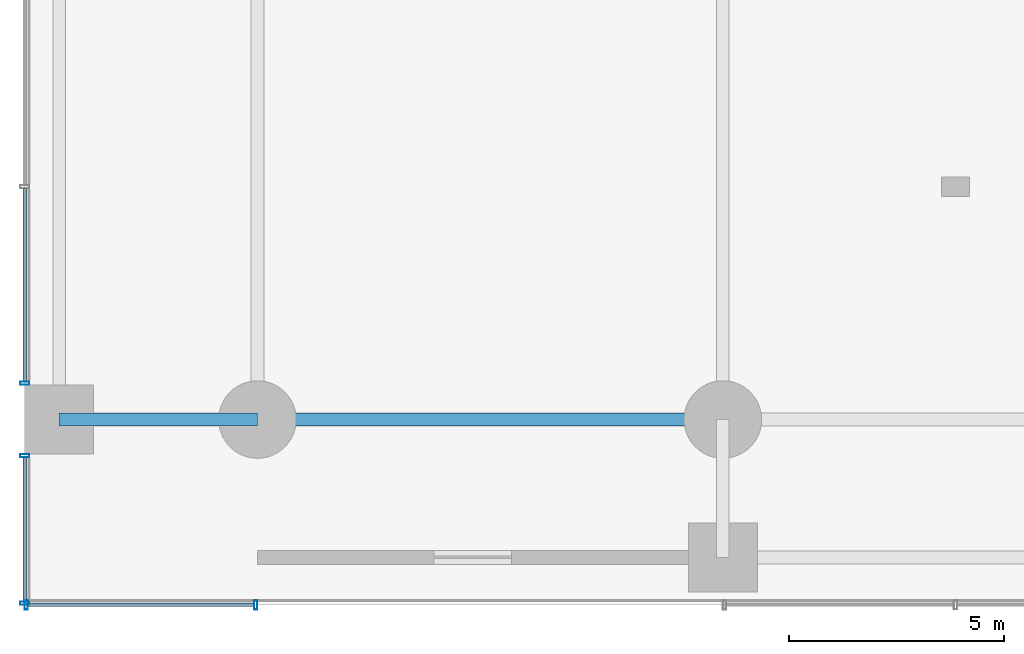
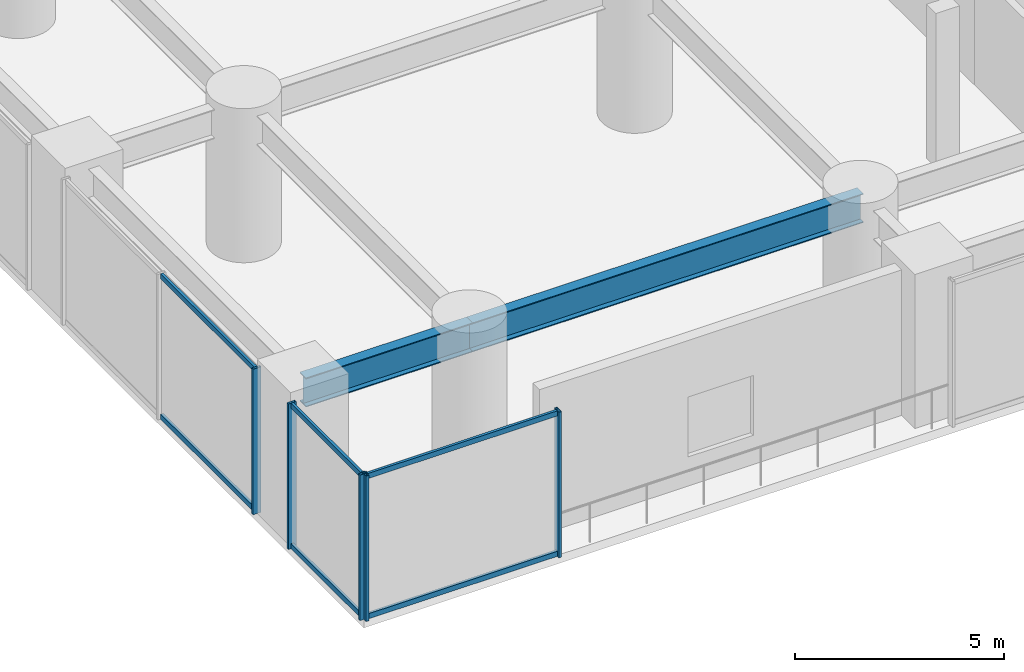
# One storey, part 2 of 36: 11 members, 2 beams, 3 elements without a shape of their own.
"""IFC4 building model written with IfcOpenShell, lengths in metres."""

from ifc_helpers import new_model, si_unit, direction, frame, origin, origin_2d, place, context, subcontext, project, spatial, hollow_rectangle, i_section, extrude, material, layer, layer_set, material_profile, profile_set, type_object, element, aggregate, save


model = new_model("IFC4")

# Units and contexts
model_context = context("Model", 3, precision=1e-05, world=origin(), true_north=direction((0.0, 1.0)))
body_context = subcontext(model_context, "Body", "Model", "MODEL_VIEW")
ifc_project = project(units=[si_unit("LENGTHUNIT", "METRE"), si_unit("AREAUNIT", "SQUARE_METRE"), si_unit("VOLUMEUNIT", "CUBIC_METRE"), si_unit("PLANEANGLEUNIT", "RADIAN"), si_unit("MASSUNIT", "GRAM", prefix="KILO")], contexts=[model_context])

# Site, building, storey
site_placement = place(None, origin())
site = spatial("IfcSite", under=ifc_project, at=site_placement, CompositionType="ELEMENT")
building_placement = place(site_placement, origin())
building = spatial("IfcBuilding", under=site, at=building_placement, Name="Surkhivell Harbour Commons", CompositionType="ELEMENT")
storey_placement = place(building_placement, frame((0.0, 0.0, 9.0)))
storey = spatial("IfcBuildingStorey", under=building, at=storey_placement, Name="L02", CompositionType="ELEMENT", Elevation=9.0)

# Beams
ifc_material_1 = material(Name="Steel S460", Category="steel")
ifc_material_profile_1 = material_profile(ifc_material_1, i_section(OverallWidth=0.2939453125, OverallDepth=0.85107421875, WebThickness=0.01611328125, FlangeThickness=0.02685546875, at=origin_2d()), Name="UB838x292x226")
ifc_profile_set_1 = profile_set([ifc_material_profile_1], Name="Steel S460")
beam_type = type_object("IfcBeamType", Name="BM-SPN-838", PredefinedType="SPANDREL", material=ifc_profile_set_1)
beam_1_placement = place(storey_placement, frame((-37.0, -21.60009765625, 3.824462890625), z_axis=(1.0, 0.0, 0.0), x_axis=(0.0, 1.0, 0.0)))
element("IfcBeam", 1, at=beam_1_placement, inside=storey, type_object=beam_type, Name="L02 Framing Beam (-37.0,-21.6)", PredefinedType="SPANDREL", context=body_context, shape_type="SweptSolid", body=[
    extrude(i_section(OverallWidth=0.2939453125, OverallDepth=0.85107421875, WebThickness=0.01611328125, FlangeThickness=0.02685546875, at=origin_2d()), origin(), (0.0, 0.0, 1.0), 4.60009765625),
])
beam_2_placement = place(storey_placement, frame((-32.39990234375, -21.60009765625, 3.824462890625), z_axis=(1.0, 0.0, 0.0), x_axis=(0.0, 1.0, 0.0)))
element("IfcBeam", 2, at=beam_2_placement, inside=storey, type_object=beam_type, Name="L02 Framing Beam (-32.4,-21.6)", PredefinedType="SPANDREL", context=body_context, shape_type="SweptSolid", body=[
    extrude(i_section(OverallWidth=0.2939453125, OverallDepth=0.85107421875, WebThickness=0.01611328125, FlangeThickness=0.02685546875, at=origin_2d()), origin(), (0.0, 0.0, 1.0), 10.7998046875),
])

# Curtain wall, members
ifc_material_2 = material(Name="Anodised pale-metal aluminium and insulated glazing", Category="aluminium")
ifc_layer = layer(ifc_material_2, 0.239990234375)
ifc_layer_set = layer_set([ifc_layer], Name="Anodised pale-metal aluminium and insulated glazing")
curtain_wall_type = type_object("IfcCurtainWallType", Name="CW-SYS-POD", PredefinedType="NOTDEFINED", material=ifc_layer_set)
curtain_wall_1_placement = place(storey_placement, origin())
curtain_wall_1 = element("IfcCurtainWall", 3, at=curtain_wall_1_placement, inside=storey, type_object=curtain_wall_type, Name="L02 Curtain Wall CW-L02-S1", PredefinedType="NOTDEFINED")
ifc_material_3 = material(Name="Anodised pale-metal aluminium alloy 6063-T6", Category="aluminium")
ifc_material_profile_2 = material_profile(ifc_material_3, hollow_rectangle(XDim=0.074951171875, YDim=0.219970703125, WallThickness=0.00390625, at=origin_2d()), Name="ALU-MULL-75x220")
ifc_profile_set_2 = profile_set([ifc_material_profile_2], Name="Anodised pale-metal aluminium alloy 6063-T6")
member_type_1 = type_object("IfcMemberType", Name="CWM-220", PredefinedType="MULLION", material=ifc_profile_set_2)
member_1_placement = place(storey_placement, frame((-32.4375, -25.89990234375, 0.0), z_axis=(0.0, 0.0, 1.0), x_axis=(-1.0, 0.0, 0.0)))
member_1 = element("IfcMember", 4, at=member_1_placement, type_object=member_type_1, Name="CW-POD mullion 1", PredefinedType="MULLION", context=body_context, shape_type="SweptSolid", body=[
    extrude(hollow_rectangle(XDim=0.074951171875, YDim=0.219970703125, WallThickness=0.00390625, at=origin_2d()), origin(), (0.0, 0.0, 1.0), 4.25),
])
member_2_placement = place(storey_placement, frame((-37.762451171875, -25.89990234375, 0.0), z_axis=(0.0, 0.0, 1.0), x_axis=(-1.0, 0.0, 0.0)))
member_2 = element("IfcMember", 5, at=member_2_placement, type_object=member_type_1, Name="CW-POD mullion 2", PredefinedType="MULLION", context=body_context, shape_type="SweptSolid", body=[
    extrude(hollow_rectangle(XDim=0.074951171875, YDim=0.219970703125, WallThickness=0.00390625, at=origin_2d()), origin(), (0.0, 0.0, 1.0), 4.25),
])

curtain_wall_2_placement = place(storey_placement, origin())
curtain_wall_2 = element("IfcCurtainWall", 6, at=curtain_wall_2_placement, inside=storey, type_object=curtain_wall_type, Name="L02 Curtain Wall CW-L02-W1", PredefinedType="NOTDEFINED")
member_3_placement = place(storey_placement, frame((-37.800048828125, -25.862548828125, 0.0), z_axis=(0.0, 0.0, 1.0), x_axis=(0.0, 1.0, 0.0)))
member_3 = element("IfcMember", 7, at=member_3_placement, type_object=member_type_1, Name="CW-POD mullion 1", PredefinedType="MULLION", context=body_context, shape_type="SweptSolid", body=[
    extrude(hollow_rectangle(XDim=0.074951171875, YDim=0.219970703125, WallThickness=0.00390625, at=origin_2d()), origin(), (0.0, 0.0, 1.0), 4.25),
])
member_4_placement = place(storey_placement, frame((-37.800048828125, -22.439453125, 0.0), z_axis=(0.0, 0.0, 1.0), x_axis=(0.0, 1.0, 0.0)))
member_4 = element("IfcMember", 8, at=member_4_placement, type_object=member_type_1, Name="CW-POD mullion 2", PredefinedType="MULLION", context=body_context, shape_type="SweptSolid", body=[
    extrude(hollow_rectangle(XDim=0.074951171875, YDim=0.219970703125, WallThickness=0.00390625, at=origin_2d()), origin(), (0.0, 0.0, 1.0), 4.25),
])

# Curtain wall, member
curtain_wall_3_placement = place(storey_placement, origin())
curtain_wall_3 = element("IfcCurtainWall", 9, at=curtain_wall_3_placement, inside=storey, type_object=curtain_wall_type, Name="L02 Curtain Wall CW-L02-W2", PredefinedType="NOTDEFINED")
member_5_placement = place(storey_placement, frame((-37.800048828125, -20.760498046875, 0.0), z_axis=(0.0, 0.0, 1.0), x_axis=(0.0, 1.0, 0.0)))
member_5 = element("IfcMember", 10, at=member_5_placement, type_object=member_type_1, Name="CW-POD mullion 1", PredefinedType="MULLION", context=body_context, shape_type="SweptSolid", body=[
    extrude(hollow_rectangle(XDim=0.074951171875, YDim=0.219970703125, WallThickness=0.00390625, at=origin_2d()), origin(), (0.0, 0.0, 1.0), 4.25),
])

# Member
ifc_material_profile_3 = material_profile(ifc_material_3, hollow_rectangle(XDim=0.074951171875, YDim=0.14990234375, WallThickness=0.00341796875, at=origin_2d()), Name="ALU-TRAN-75x150")
ifc_profile_set_3 = profile_set([ifc_material_profile_3], Name="Anodised pale-metal aluminium alloy 6063-T6")
member_type_2 = type_object("IfcMemberType", Name="CWT-150", PredefinedType="USERDEFINED", material=ifc_profile_set_3)
member_6_placement = place(storey_placement, frame((-32.47509765625, -25.89990234375, 0.074951171875), z_axis=(-1.0, 0.0, 0.0), x_axis=(0.0, -1.0, 0.0)))
member_6 = element("IfcMember", 11, at=member_6_placement, type_object=member_type_2, Name="CW-POD transom 1.1", ObjectType="TRANSOM", PredefinedType="USERDEFINED", context=body_context, shape_type="SweptSolid", body=[
    extrude(hollow_rectangle(XDim=0.074951171875, YDim=0.14990234375, WallThickness=0.00341796875, at=origin_2d()), origin(), (0.0, 0.0, 1.0), 5.25),
])

member_7_placement = place(storey_placement, frame((-32.47509765625, -25.89990234375, 4.175048828125), z_axis=(-1.0, 0.0, 0.0), x_axis=(0.0, -1.0, 0.0)))
member_7 = element("IfcMember", 12, at=member_7_placement, type_object=member_type_2, Name="CW-POD transom 1.2", ObjectType="TRANSOM", PredefinedType="USERDEFINED", context=body_context, shape_type="SweptSolid", body=[
    extrude(hollow_rectangle(XDim=0.074951171875, YDim=0.14990234375, WallThickness=0.00341796875, at=origin_2d()), origin(), (0.0, 0.0, 1.0), 5.25),
])

aggregate(curtain_wall_1, [member_1, member_2, member_6, member_7])

member_8_placement = place(storey_placement, frame((-37.800048828125, -25.824951171875, 0.074951171875), z_axis=(0.0, 1.0, 0.0), x_axis=(-1.0, 0.0, 0.0)))
member_8 = element("IfcMember", 13, at=member_8_placement, type_object=member_type_2, Name="CW-POD transom 1.1", ObjectType="TRANSOM", PredefinedType="USERDEFINED", context=body_context, shape_type="SweptSolid", body=[
    extrude(hollow_rectangle(XDim=0.074951171875, YDim=0.14990234375, WallThickness=0.00341796875, at=origin_2d()), origin(), (0.0, 0.0, 1.0), 3.347900390625),
])

member_9_placement = place(storey_placement, frame((-37.800048828125, -25.824951171875, 4.175048828125), z_axis=(0.0, 1.0, 0.0), x_axis=(-1.0, 0.0, 0.0)))
member_9 = element("IfcMember", 14, at=member_9_placement, type_object=member_type_2, Name="CW-POD transom 1.2", ObjectType="TRANSOM", PredefinedType="USERDEFINED", context=body_context, shape_type="SweptSolid", body=[
    extrude(hollow_rectangle(XDim=0.074951171875, YDim=0.14990234375, WallThickness=0.00341796875, at=origin_2d()), origin(), (0.0, 0.0, 1.0), 3.347900390625),
])

aggregate(curtain_wall_2, [member_3, member_4, member_8, member_9])

member_10_placement = place(storey_placement, frame((-37.800048828125, -20.722900390625, 0.074951171875), z_axis=(0.0, 1.0, 0.0), x_axis=(-1.0, 0.0, 0.0)))
member_10 = element("IfcMember", 15, at=member_10_placement, type_object=member_type_2, Name="CW-POD transom 1.1", ObjectType="TRANSOM", PredefinedType="USERDEFINED", context=body_context, shape_type="SweptSolid", body=[
    extrude(hollow_rectangle(XDim=0.074951171875, YDim=0.14990234375, WallThickness=0.00341796875, at=origin_2d()), origin(), (0.0, 0.0, 1.0), 4.4853515625),
])

member_11_placement = place(storey_placement, frame((-37.800048828125, -20.722900390625, 4.175048828125), z_axis=(0.0, 1.0, 0.0), x_axis=(-1.0, 0.0, 0.0)))
member_11 = element("IfcMember", 16, at=member_11_placement, type_object=member_type_2, Name="CW-POD transom 1.2", ObjectType="TRANSOM", PredefinedType="USERDEFINED", context=body_context, shape_type="SweptSolid", body=[
    extrude(hollow_rectangle(XDim=0.074951171875, YDim=0.14990234375, WallThickness=0.00341796875, at=origin_2d()), origin(), (0.0, 0.0, 1.0), 4.4853515625),
])

aggregate(curtain_wall_3, [member_5, member_10, member_11])

save(model, "model.ifc")
